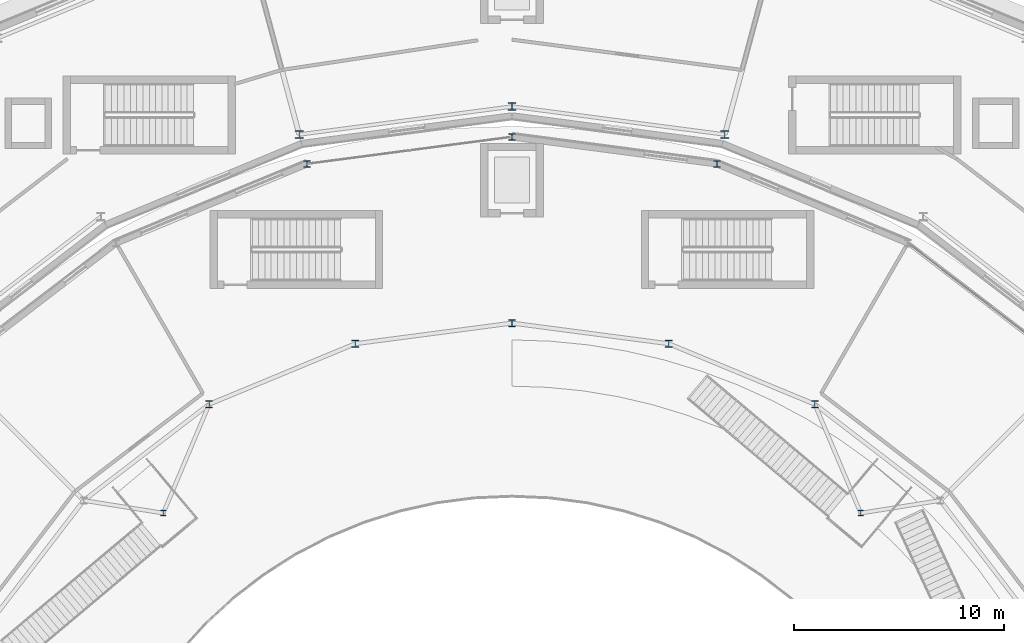
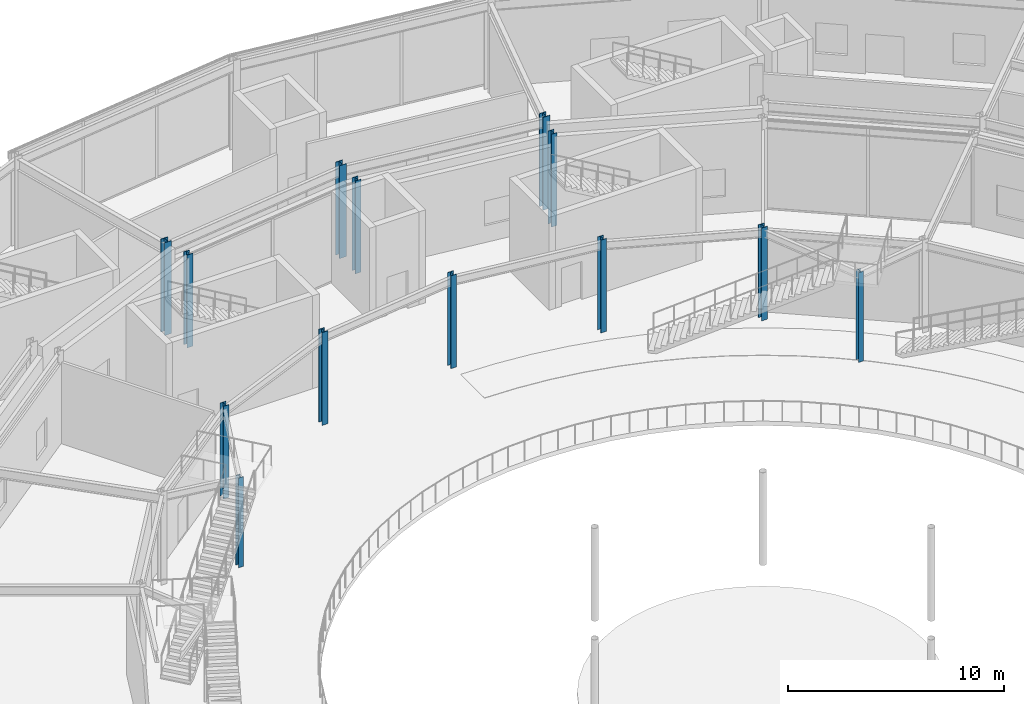
# One storey, part 12 of 168: 13 columns.
"""IFC4 building model written with IfcOpenShell, lengths in metres."""

from ifc_helpers import new_model, si_unit, direction, frame, origin, origin_2d, place, context, subcontext, project, spatial, i_section, extrude, material, material_profile, profile_set, type_object, element, save


model = new_model("IFC4")

# Units and contexts
model_context = context("Model", 3, precision=1e-05, world=origin(), true_north=direction((0.0, 1.0)))
body_context = subcontext(model_context, "Body", "Model", "MODEL_VIEW")
ifc_project = project(units=[si_unit("LENGTHUNIT", "METRE"), si_unit("AREAUNIT", "SQUARE_METRE"), si_unit("VOLUMEUNIT", "CUBIC_METRE"), si_unit("PLANEANGLEUNIT", "RADIAN"), si_unit("MASSUNIT", "GRAM", prefix="KILO")], contexts=[model_context])

# Site, building, storey
site_placement = place(None, origin())
site = spatial("IfcSite", under=ifc_project, at=site_placement, CompositionType="ELEMENT")
building_placement = place(site_placement, origin())
building = spatial("IfcBuilding", under=site, at=building_placement, Name="Almandine Court Research Institute", CompositionType="ELEMENT")
storey_placement = place(building_placement, origin())
storey = spatial("IfcBuildingStorey", under=building, at=storey_placement, Name="L00", CompositionType="ELEMENT", Elevation=0.0)

# Columns
ifc_material = material(Name="Steel ASTM A992 Grade 50", Category="steel")
ifc_material_profile_1 = material_profile(ifc_material, i_section(OverallWidth=0.373046875, OverallDepth=0.367919921875, WebThickness=0.01708984375, FlangeThickness=0.027099609375, at=origin_2d()), Name="W360x179")
ifc_profile_set_1 = profile_set([ifc_material_profile_1], Name="Steel ASTM A992 Grade 50")
column_type_1 = type_object("IfcColumnType", Name="Col-C-W03-E", PredefinedType="COLUMN", material=ifc_profile_set_1)
for number, where, z_axis, x_axis, name in (
    (1, (97.1201171875, 93.76806640625, 0.0), (0.0, 0.0, 1.0), (1.0, 0.0, 0.0), "L00 V5 Column V5-IN-S05"),
    (2, (87.0, 95.10009765625, 0.0), (0.0, 0.0, 1.0), (1.0, 0.0, 0.0), "L00 V5 Column V5-IN-S06"),
    (3, (76.8798828125, 93.76806640625, 0.0), (0.0, 0.0, 1.0), (1.0, 0.0, 0.0), "L00 V5 Column V5-IN-S07"),
):
    element("IfcColumn", number, at=place(storey_placement, frame(where, z_axis=z_axis, x_axis=x_axis)), inside=storey, type_object=column_type_1, Name=name, PredefinedType="COLUMN", context=body_context, shape_type="SweptSolid", body=[
        extrude(i_section(OverallWidth=0.373046875, OverallDepth=0.367919921875, WebThickness=0.01708984375, FlangeThickness=0.027099609375, at=origin_2d()), origin(), (0.0, 0.0, 1.0), 5.25),
    ])
ifc_material_profile_2 = material_profile(ifc_material, i_section(OverallWidth=0.31005859375, OverallDepth=0.326904296875, WebThickness=0.01611328125, FlangeThickness=0.02490234375, at=origin_2d()), Name="W310x158")
ifc_profile_set_2 = profile_set([ifc_material_profile_2], Name="Steel ASTM A992 Grade 50")
column_type_2 = type_object("IfcColumnType", Name="Col-C-W06", PredefinedType="COLUMN", material=ifc_profile_set_2)
for number, where, z_axis, x_axis, name in (
    (4, (96.7451171875, 92.366943359375, 0.0), (0.0, 0.0, 1.0), (1.0, 0.0, 0.0), "L00 V2 Column V2-OUT-S05"),
    (5, (87.0, 93.64990234375, 0.0), (0.0, 0.0, 1.0), (1.0, 0.0, 0.0), "L00 V2 Column V2-OUT-S06"),
    (6, (77.2548828125, 92.366943359375, 0.0), (0.0, 0.0, 1.0), (1.0, 0.0, 0.0), "L00 V2 Column V2-OUT-S07"),
    (7, (101.39990234375, 80.94189453125, 0.0), (0.0, 0.0, 1.0), (1.0, 0.0, 0.0), "L00 V2 Column V2-MID-S04"),
    (8, (94.4541015625, 83.819091796875, 0.0), (0.0, 0.0, 1.0), (1.0, 0.0, 0.0), "L00 V2 Column V2-MID-S05"),
    (9, (87.0, 84.800048828125, 0.0), (0.0, 0.0, 1.0), (1.0, 0.0, 0.0), "L00 V2 Column V2-MID-S06"),
    (10, (79.5458984375, 83.819091796875, 0.0), (0.0, 0.0, 1.0), (1.0, 0.0, 0.0), "L00 V2 Column V2-MID-S07"),
    (11, (72.60009765625, 80.94189453125, 0.0), (0.0, 0.0, 1.0), (1.0, 0.0, 0.0), "L00 V2 Column V2-MID-S08"),
):
    element("IfcColumn", number, at=place(storey_placement, frame(where, z_axis=z_axis, x_axis=x_axis)), inside=storey, type_object=column_type_2, Name=name, PredefinedType="COLUMN", context=body_context, shape_type="SweptSolid", body=[
        extrude(i_section(OverallWidth=0.31005859375, OverallDepth=0.326904296875, WebThickness=0.01611328125, FlangeThickness=0.02490234375, at=origin_2d()), origin(), (0.0, 0.0, 1.0), 5.25),
    ])
ifc_material_profile_3 = material_profile(ifc_material, i_section(OverallWidth=0.257080078125, OverallDepth=0.263916015625, WebThickness=0.011962890625, FlangeThickness=0.02001953125, at=origin_2d()), Name="W250x101")
ifc_profile_set_3 = profile_set([ifc_material_profile_3], Name="Steel ASTM A992 Grade 50")
column_type_3 = type_object("IfcColumnType", Name="Col-C-W09", PredefinedType="COLUMN", material=ifc_profile_set_3)
for number, where, z_axis, x_axis, name in (
    (12, (103.583984375, 75.763916015625, 0.0), (0.0, 0.0, 1.0), (1.0, 0.0, 0.0), "L00 V2 Column STAT2"),
    (13, (70.416015625, 75.763916015625, 0.0), (0.0, 0.0, 1.0), (1.0, 0.0, 0.0), "L00 V2 Column STAT3"),
):
    element("IfcColumn", number, at=place(storey_placement, frame(where, z_axis=z_axis, x_axis=x_axis)), inside=storey, type_object=column_type_3, Name=name, PredefinedType="COLUMN", context=body_context, shape_type="SweptSolid", body=[
        extrude(i_section(OverallWidth=0.257080078125, OverallDepth=0.263916015625, WebThickness=0.011962890625, FlangeThickness=0.02001953125, at=origin_2d()), origin(), (0.0, 0.0, 1.0), 5.070068359375),
    ])

save(model, "model.ifc")
